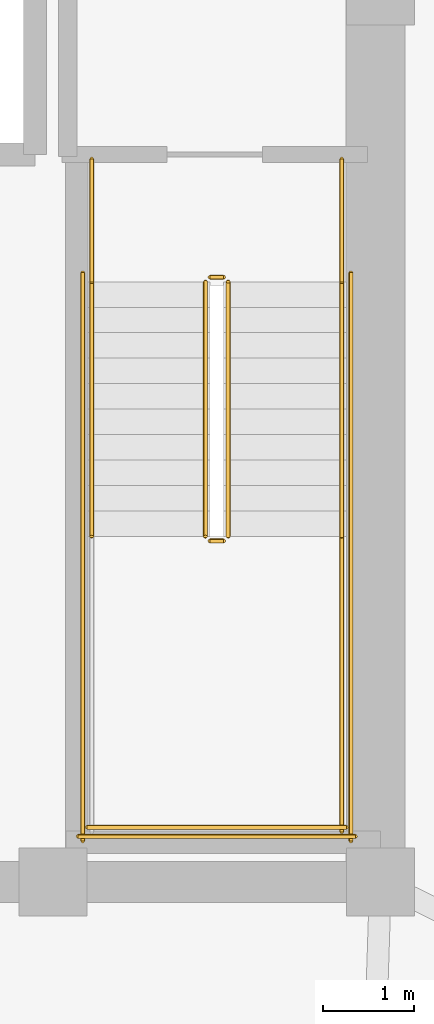
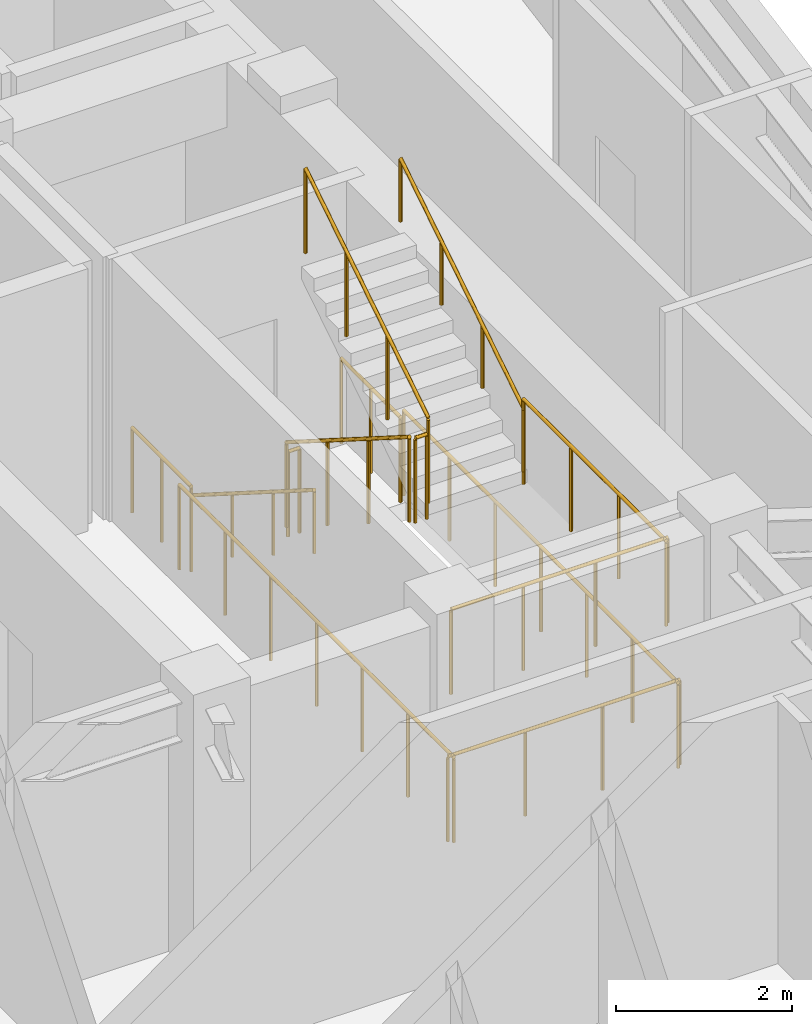
# One storey, part 11 of 11: 13 railings.
"""IFC4 building model written with IfcOpenShell, lengths in metres."""

from ifc_helpers import new_model, si_unit, direction, frame, origin, origin_2d, place, context, subcontext, project, spatial, circle, extrude, material, type_object, element, save


model = new_model("IFC4")

# Units and contexts
model_context = context("Model", 3, precision=1e-05, world=origin(), true_north=direction((0.0, 1.0)))
body_context = subcontext(model_context, "Body", "Model", "MODEL_VIEW")
ifc_project = project(units=[si_unit("LENGTHUNIT", "METRE"), si_unit("AREAUNIT", "SQUARE_METRE"), si_unit("VOLUMEUNIT", "CUBIC_METRE"), si_unit("PLANEANGLEUNIT", "RADIAN"), si_unit("MASSUNIT", "GRAM", prefix="KILO")], contexts=[model_context])

# Site, building, storey
site_placement = place(None, origin())
site = spatial("IfcSite", under=ifc_project, at=site_placement, CompositionType="ELEMENT")
building_placement = place(site_placement, origin())
building = spatial("IfcBuilding", under=site, at=building_placement, Name="Voryun Gate Residences", CompositionType="ELEMENT")
storey_placement = place(building_placement, frame((0.0, 0.0, 283.39990234375)))
storey = spatial("IfcBuildingStorey", under=building, at=storey_placement, Name="L70", CompositionType="ELEMENT", Elevation=283.39990234375)

# Railings
ifc_material_1 = material(Name="Painted steel", Category="steel")
railing_type_1 = type_object("IfcRailingType", Name="RAIL_STAIR_GUARD_1200", PredefinedType="GUARDRAIL", material=ifc_material_1)
railing_1_placement = place(storey_placement, frame((17.27490234375, -0.800048828125, 0.177490234375)))
element("IfcRailing", 1, at=railing_1_placement, inside=storey, type_object=railing_type_1, Name="L70 ST-E1 stair guard 1", PredefinedType="GUARDRAIL", context=body_context, shape_type="SweptSolid", body=[
    extrude(circle(Radius=0.02392578125, at=origin_2d()), frame((0.0, 0.0, 1.17578125), z_axis=(0.0, -0.844908973607, 0.534910110503), x_axis=(1.0, 0.0, 0.0)), (0.0, 0.0, 1.0), 3.31396484375),
    extrude(circle(Radius=0.02099609375, at=origin_2d()), origin(), (0.0, 0.0, 1.0), 1.15185546875),
    extrude(circle(Radius=0.02099609375, at=origin_2d()), frame((0.0, -0.933349609375, 0.5908203125)), (0.0, 0.0, 1.0), 1.15185546875),
    extrude(circle(Radius=0.02099609375, at=origin_2d()), frame((0.0, -1.86669921875, 1.181884765625)), (0.0, 0.0, 1.0), 1.15185546875),
    extrude(circle(Radius=0.02099609375, at=origin_2d()), frame((0.0, -2.800048828125, 1.772705078125)), (0.0, 0.0, 1.0), 1.15185546875),
])
railing_2_placement = place(storey_placement, frame((17.324951171875, -3.64990234375, 1.9501953125)))
element("IfcRailing", 2, at=railing_2_placement, inside=storey, type_object=railing_type_1, Name="L70 ST-E1 stair guard 2", PredefinedType="GUARDRAIL", context=body_context, shape_type="SweptSolid", body=[
    extrude(circle(Radius=0.02392578125, at=origin_2d()), frame((0.0, 0.0, 1.17578125), z_axis=(1.0, 0.0, 0.0), x_axis=(0.0, 1.0, 0.0)), (0.0, 0.0, 1.0), 0.150146484375),
    extrude(circle(Radius=0.02099609375, at=origin_2d()), origin(), (0.0, 0.0, 1.0), 1.15185546875),
    extrude(circle(Radius=0.02099609375, at=origin_2d()), frame((0.150146484375, 0.0, 0.0)), (0.0, 0.0, 1.0), 1.15185546875),
])
railing_3_placement = place(storey_placement, frame((18.77490234375, -3.60009765625, 1.9501953125)))
element("IfcRailing", 3, at=railing_3_placement, inside=storey, type_object=railing_type_1, Name="L70 ST-E1 stair guard 4", PredefinedType="GUARDRAIL", context=body_context, shape_type="SweptSolid", body=[
    extrude(circle(Radius=0.02392578125, at=origin_2d()), frame((0.0, 0.0, 1.17578125), z_axis=(0.0, -1.0, 0.0), x_axis=(1.0, 0.0, 0.0)), (0.0, 0.0, 1.0), 3.25),
    extrude(circle(Radius=0.02099609375, at=origin_2d()), origin(), (0.0, 0.0, 1.0), 1.15185546875),
    extrude(circle(Radius=0.02099609375, at=origin_2d()), frame((0.0, -1.083251953125, 0.0)), (0.0, 0.0, 1.0), 1.15185546875),
    extrude(circle(Radius=0.02099609375, at=origin_2d()), frame((0.0, -2.166748046875, 0.0)), (0.0, 0.0, 1.0), 1.15185546875),
    extrude(circle(Radius=0.02099609375, at=origin_2d()), frame((0.0, -3.25, 0.0)), (0.0, 0.0, 1.0), 1.15185546875),
])
railing_4_placement = place(storey_placement, frame((15.97509765625, -6.800048828125, 1.9501953125)))
element("IfcRailing", 4, at=railing_4_placement, inside=storey, type_object=railing_type_1, Name="L70 ST-E1 stair guard 5", PredefinedType="GUARDRAIL", context=body_context, shape_type="SweptSolid", body=[
    extrude(circle(Radius=0.02392578125, at=origin_2d()), frame((0.0, 0.0, 1.17578125), z_axis=(1.0, 0.0, 0.0), x_axis=(0.0, 1.0, 0.0)), (0.0, 0.0, 1.0), 2.849853515625),
    extrude(circle(Radius=0.02099609375, at=origin_2d()), origin(), (0.0, 0.0, 1.0), 1.15185546875),
    extrude(circle(Radius=0.02099609375, at=origin_2d()), frame((0.949951171875, 0.0, 0.0)), (0.0, 0.0, 1.0), 1.15185546875),
    extrude(circle(Radius=0.02099609375, at=origin_2d()), frame((1.89990234375, 0.0, 0.0)), (0.0, 0.0, 1.0), 1.15185546875),
    extrude(circle(Radius=0.02099609375, at=origin_2d()), frame((2.849853515625, 0.0, 0.0)), (0.0, 0.0, 1.0), 1.15185546875),
])
railing_5_placement = place(storey_placement, frame((17.52490234375, -3.60009765625, 2.12744140625)))
element("IfcRailing", 5, at=railing_5_placement, inside=storey, type_object=railing_type_1, Name="L70 ST-E1 stair guard 6", PredefinedType="GUARDRAIL", context=body_context, shape_type="SweptSolid", body=[
    extrude(circle(Radius=0.02392578125, at=origin_2d()), frame((0.0, 0.0, 1.17578125), z_axis=(0.0, 0.844908973607, 0.534910110503), x_axis=(-1.0, 0.0, 0.0)), (0.0, 0.0, 1.0), 3.31396484375),
    extrude(circle(Radius=0.02099609375, at=origin_2d()), origin(), (0.0, 0.0, 1.0), 1.15185546875),
    extrude(circle(Radius=0.02099609375, at=origin_2d()), frame((0.0, 0.933349609375, 0.5908203125)), (0.0, 0.0, 1.0), 1.15185546875),
    extrude(circle(Radius=0.02099609375, at=origin_2d()), frame((0.0, 1.86669921875, 1.181884765625)), (0.0, 0.0, 1.0), 1.15185546875),
    extrude(circle(Radius=0.02099609375, at=origin_2d()), frame((0.0, 2.800048828125, 1.772705078125)), (0.0, 0.0, 1.0), 1.15185546875),
])
railing_6_placement = place(storey_placement, frame((17.324951171875, -0.75, 0.0)))
element("IfcRailing", 6, at=railing_6_placement, inside=storey, type_object=railing_type_1, Name="L70 ST-E1 stair guard 7", PredefinedType="GUARDRAIL", context=body_context, shape_type="SweptSolid", body=[
    extrude(circle(Radius=0.02392578125, at=origin_2d()), frame((0.0, 0.0, 1.17578125), z_axis=(1.0, 0.0, 0.0), x_axis=(0.0, 1.0, 0.0)), (0.0, 0.0, 1.0), 0.150146484375),
    extrude(circle(Radius=0.02099609375, at=origin_2d()), origin(), (0.0, 0.0, 1.0), 1.15185546875),
    extrude(circle(Radius=0.02099609375, at=origin_2d()), frame((0.150146484375, 0.0, 0.0)), (0.0, 0.0, 1.0), 1.15185546875),
])
for number, where, name in (
    (7, (16.02490234375, 0.550048828125, 0.0), "L70 ST-E1 stair guard 8"),
    (8, (18.77490234375, 0.550048828125, 0.0), "L70 ST-E1 stair guard 9"),
):
    element("IfcRailing", number, at=place(storey_placement, frame(where)), inside=storey, type_object=railing_type_1, Name=name, PredefinedType="GUARDRAIL", context=body_context, shape_type="SweptSolid", body=[
        extrude(circle(Radius=0.02392578125, at=origin_2d()), frame((0.0, 0.0, 1.17578125), z_axis=(0.0, -1.0, 0.0), x_axis=(1.0, 0.0, 0.0)), (0.0, 0.0, 1.0), 1.35009765625),
        extrude(circle(Radius=0.02099609375, at=origin_2d()), origin(), (0.0, 0.0, 1.0), 1.15185546875),
        extrude(circle(Radius=0.02099609375, at=origin_2d()), frame((0.0, -0.675048828125, 0.0)), (0.0, 0.0, 1.0), 1.15185546875),
        extrude(circle(Radius=0.02099609375, at=origin_2d()), frame((0.0, -1.35009765625, 0.0)), (0.0, 0.0, 1.0), 1.15185546875),
    ])
for number, where, name in (
    (9, (15.925048828125, -0.699951171875, 0.0), "L70 ST-E1 stair guard 10"),
    (10, (18.875, -0.699951171875, 0.0), "L70 ST-E1 stair guard 11"),
):
    element("IfcRailing", number, at=place(storey_placement, frame(where)), inside=storey, type_object=railing_type_1, Name=name, PredefinedType="GUARDRAIL", context=body_context, shape_type="SweptSolid", body=[
        extrude(circle(Radius=0.02392578125, at=origin_2d()), frame((0.0, 0.0, 1.17578125), z_axis=(0.0, -1.0, 0.0), x_axis=(1.0, 0.0, 0.0)), (0.0, 0.0, 1.0), 6.25),
        extrude(circle(Radius=0.02099609375, at=origin_2d()), origin(), (0.0, 0.0, 1.0), 1.15185546875),
        extrude(circle(Radius=0.02099609375, at=origin_2d()), frame((0.0, -1.041748046875, 0.0)), (0.0, 0.0, 1.0), 1.15185546875),
        extrude(circle(Radius=0.02099609375, at=origin_2d()), frame((0.0, -2.083251953125, 0.0)), (0.0, 0.0, 1.0), 1.15185546875),
        extrude(circle(Radius=0.02099609375, at=origin_2d()), frame((0.0, -3.125, 0.0)), (0.0, 0.0, 1.0), 1.15185546875),
        extrude(circle(Radius=0.02099609375, at=origin_2d()), frame((0.0, -4.166748046875, 0.0)), (0.0, 0.0, 1.0), 1.15185546875),
        extrude(circle(Radius=0.02099609375, at=origin_2d()), frame((0.0, -5.208251953125, 0.0)), (0.0, 0.0, 1.0), 1.15185546875),
        extrude(circle(Radius=0.02099609375, at=origin_2d()), frame((0.0, -6.25, 0.0)), (0.0, 0.0, 1.0), 1.15185546875),
    ])
railing_7_placement = place(storey_placement, frame((15.875, -6.89990234375, 0.0)))
element("IfcRailing", 11, at=railing_7_placement, inside=storey, type_object=railing_type_1, Name="L70 ST-E1 stair guard 12", PredefinedType="GUARDRAIL", context=body_context, shape_type="SweptSolid", body=[
    extrude(circle(Radius=0.02392578125, at=origin_2d()), frame((0.0, 0.0, 1.17578125), z_axis=(1.0, 0.0, 0.0), x_axis=(0.0, 1.0, 0.0)), (0.0, 0.0, 1.0), 3.050048828125),
    extrude(circle(Radius=0.02099609375, at=origin_2d()), origin(), (0.0, 0.0, 1.0), 1.15185546875),
    extrude(circle(Radius=0.02099609375, at=origin_2d()), frame((1.0166015625, 0.0, 0.0)), (0.0, 0.0, 1.0), 1.15185546875),
    extrude(circle(Radius=0.02099609375, at=origin_2d()), frame((2.033447265625, 0.0, 0.0)), (0.0, 0.0, 1.0), 1.15185546875),
    extrude(circle(Radius=0.02099609375, at=origin_2d()), frame((3.050048828125, 0.0, 0.0)), (0.0, 0.0, 1.0), 1.15185546875),
])
ifc_material_2 = material(Name="Painted steel", Category="steel")
railing_type_2 = type_object("IfcRailingType", Name="RAIL_STAIR_HANDRAIL_900", PredefinedType="HANDRAIL", material=ifc_material_2)
railing_8_placement = place(storey_placement, frame((16.02490234375, -0.800048828125, 0.177490234375)))
element("IfcRailing", 12, at=railing_8_placement, inside=storey, type_object=railing_type_2, Name="L70 ST-E1 stair handrail 1", PredefinedType="HANDRAIL", context=body_context, shape_type="SweptSolid", body=[
    extrude(circle(Radius=0.02392578125, at=origin_2d()), frame((0.0, 0.0, 0.8759765625), z_axis=(0.0, -0.844908973607, 0.534910110503), x_axis=(1.0, 0.0, 0.0)), (0.0, 0.0, 1.0), 3.31396484375),
    extrude(circle(Radius=0.02099609375, at=origin_2d()), origin(), (0.0, 0.0, 1.0), 0.851806640625),
    extrude(circle(Radius=0.02099609375, at=origin_2d()), frame((0.0, -0.933349609375, 0.5908203125)), (0.0, 0.0, 1.0), 0.851806640625),
    extrude(circle(Radius=0.02099609375, at=origin_2d()), frame((0.0, -1.86669921875, 1.181884765625)), (0.0, 0.0, 1.0), 0.851806640625),
    extrude(circle(Radius=0.02099609375, at=origin_2d()), frame((0.0, -2.800048828125, 1.772705078125)), (0.0, 0.0, 1.0), 0.851806640625),
])
railing_9_placement = place(storey_placement, frame((18.77490234375, -3.60009765625, 2.12744140625)))
element("IfcRailing", 13, at=railing_9_placement, inside=storey, type_object=railing_type_2, Name="L70 ST-E1 stair handrail 2", PredefinedType="HANDRAIL", context=body_context, shape_type="SweptSolid", body=[
    extrude(circle(Radius=0.02392578125, at=origin_2d()), frame((0.0, 0.0, 0.8759765625), z_axis=(0.0, 0.844908973607, 0.534910110503), x_axis=(-1.0, 0.0, 0.0)), (0.0, 0.0, 1.0), 3.31396484375),
    extrude(circle(Radius=0.02099609375, at=origin_2d()), origin(), (0.0, 0.0, 1.0), 0.851806640625),
    extrude(circle(Radius=0.02099609375, at=origin_2d()), frame((0.0, 0.933349609375, 0.5908203125)), (0.0, 0.0, 1.0), 0.851806640625),
    extrude(circle(Radius=0.02099609375, at=origin_2d()), frame((0.0, 1.86669921875, 1.181884765625)), (0.0, 0.0, 1.0), 0.851806640625),
    extrude(circle(Radius=0.02099609375, at=origin_2d()), frame((0.0, 2.800048828125, 1.772705078125)), (0.0, 0.0, 1.0), 0.851806640625),
])

save(model, "model.ifc")
